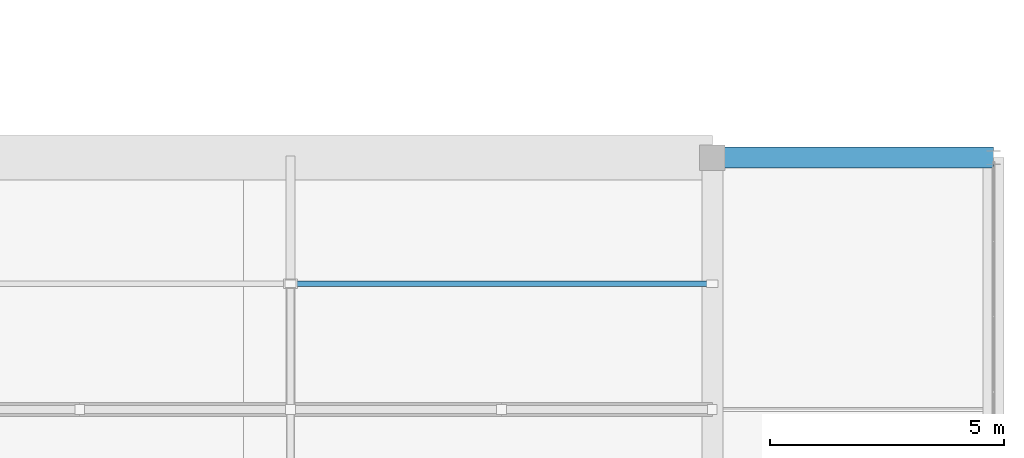
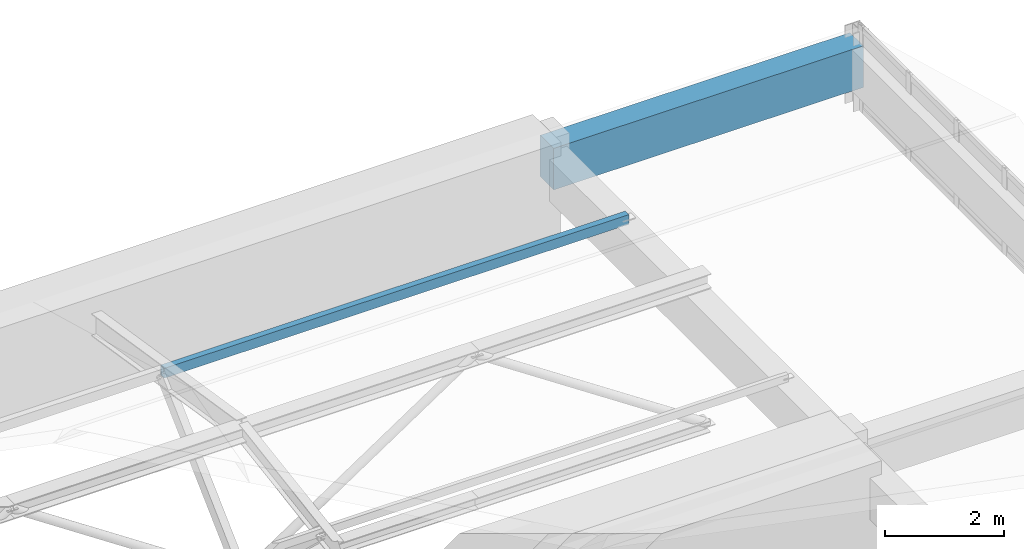
# One storey, part 60 of 82: 1 beam, 1 member.
"""IFC4 building model written with IfcOpenShell, lengths in metres."""

from ifc_helpers import new_model, si_unit, direction, frame, origin, origin_2d, place, context, subcontext, project, spatial, rectangle, hollow_rectangle, extrude, material, material_profile, profile_set, type_object, element, save


model = new_model("IFC4")

# Units and contexts
model_context = context("Model", 3, precision=1e-05, world=origin(), true_north=direction((0.0, 1.0)))
body_context = subcontext(model_context, "Body", "Model", "MODEL_VIEW")
ifc_project = project(units=[si_unit("LENGTHUNIT", "METRE"), si_unit("AREAUNIT", "SQUARE_METRE"), si_unit("VOLUMEUNIT", "CUBIC_METRE"), si_unit("PLANEANGLEUNIT", "RADIAN"), si_unit("MASSUNIT", "GRAM", prefix="KILO")], contexts=[model_context])

# Site, building, storey
site_placement = place(None, origin())
site = spatial("IfcSite", under=ifc_project, at=site_placement, CompositionType="ELEMENT")
building_placement = place(site_placement, origin())
building = spatial("IfcBuilding", under=site, at=building_placement, Name="Mersad Railyard Sports Hall", CompositionType="ELEMENT")
storey_placement = place(building_placement, frame((0.0, 0.0, 13.199951171875)))
storey = spatial("IfcBuildingStorey", under=building, at=storey_placement, Name="L03", CompositionType="ELEMENT", Elevation=13.199951171875)

# Beam
ifc_material_1 = material(Name="Concrete C40/50", Category="concrete")
ifc_material_profile_1 = material_profile(ifc_material_1, rectangle(XDim=0.449951171875, YDim=0.85009765625, at=origin_2d()), Name="RC 450x850")
ifc_profile_set_1 = profile_set([ifc_material_profile_1], Name="Concrete C40/50")
beam_type = type_object("IfcBeamType", Name="STR-BM-B02", PredefinedType="BEAM", material=ifc_profile_set_1)
beam_placement = place(storey_placement, frame((173.0, 95.0, 0.925048828125), z_axis=(1.0, 0.0, 0.0), x_axis=(0.0, 1.0, 0.0)))
element("IfcBeam", 1, at=beam_placement, inside=storey, type_object=beam_type, Name="Beam B02-0916", PredefinedType="BEAM", context=body_context, shape_type="SweptSolid", body=[
    extrude(rectangle(XDim=0.449951171875, YDim=0.85009765625, at=origin_2d()), origin(), (0.0, 0.0, 1.0), 6.0),
])

# Member
ifc_material_2 = material(Name="Steel S355", Category="steel")
ifc_material_profile_2 = material_profile(ifc_material_2, hollow_rectangle(XDim=0.1201171875, YDim=0.199951171875, WallThickness=0.010009765625, at=origin_2d()), Name="RHS 200x120x10")
ifc_profile_set_2 = profile_set([ifc_material_profile_2], Name="Steel S355")
member_type = type_object("IfcMemberType", Name="STR-MEM-SR01", PredefinedType="STRUT", material=ifc_profile_set_2)
member_placement = place(storey_placement, frame((164.0, 92.3125, 1.425048828125), z_axis=(1.0, 0.0, 0.0), x_axis=(0.0, 1.0, 0.0)))
element("IfcMember", 2, at=member_placement, inside=storey, type_object=member_type, Name="Structural member SR01-0301", PredefinedType="STRUT", context=body_context, shape_type="SweptSolid", body=[
    extrude(hollow_rectangle(XDim=0.1201171875, YDim=0.199951171875, WallThickness=0.010009765625, at=origin_2d()), origin(), (0.0, 0.0, 1.0), 9.0),
])

save(model, "model.ifc")
